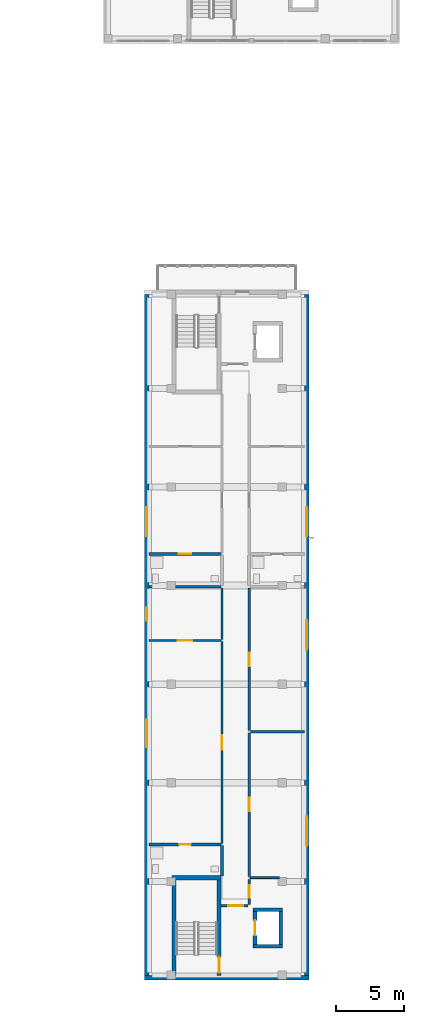
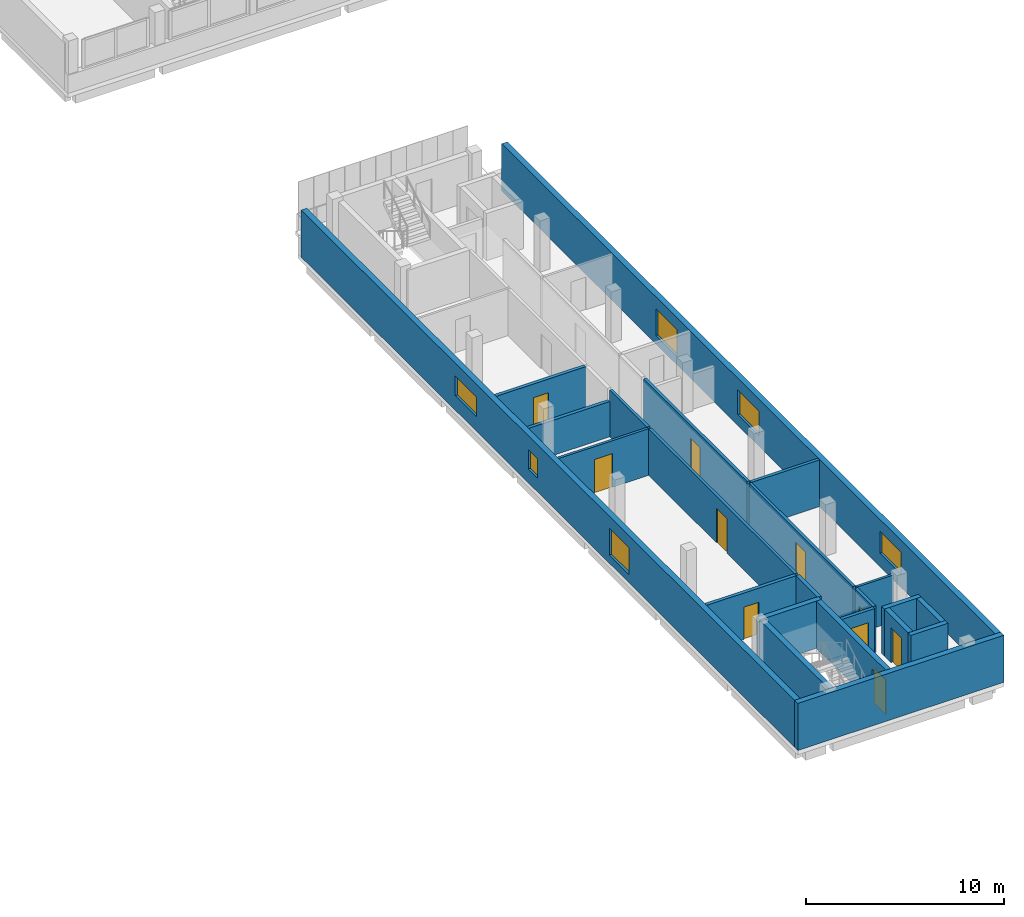
# One storey, part 15 of 35: 23 walls, 10 doors, 6 windows, 16 openings.
"""IFC4 building model written with IfcOpenShell, lengths in metres."""

from ifc_helpers import new_model, si_unit, derived_unit, direction, frame, frame_2d, origin, place, context, subcontext, project, spatial, rectangle, extrude, material, layer, layer_set, type_object, element, fill, save


model = new_model("IFC4")

# Units and contexts
model_context = context("Model", 3, precision=1e-05, world=origin(), true_north=direction((0.0, 1.0)))
body_context = subcontext(model_context, "Body", "Model", "MODEL_VIEW")
ifc_project = project(units=[si_unit("LENGTHUNIT", "METRE"), si_unit("AREAUNIT", "SQUARE_METRE"), si_unit("VOLUMEUNIT", "CUBIC_METRE"), si_unit("PLANEANGLEUNIT", "RADIAN"), si_unit("MASSUNIT", "GRAM", prefix="KILO"), derived_unit("THERMALTRANSMITTANCEUNIT", [(si_unit("MASSUNIT", "GRAM", prefix="KILO"), 1), (si_unit("TIMEUNIT", "SECOND"), -3), (si_unit("THERMODYNAMICTEMPERATUREUNIT", "KELVIN"), -1)])], contexts=[model_context])

# Site, building, storey
site_placement = place(None, origin())
site = spatial("IfcSite", under=ifc_project, at=site_placement, CompositionType="ELEMENT")
building_placement = place(site_placement, origin())
building = spatial("IfcBuilding", under=site, at=building_placement, Name="Ochrekiln Boulevard Commons", CompositionType="ELEMENT")
storey_placement = place(building_placement, frame((0.0, 0.0, 30.97509765625)))
storey = spatial("IfcBuildingStorey", under=building, at=storey_placement, Name="L09", CompositionType="ELEMENT", Elevation=30.97509765625)

# Wall
ifc_material_1 = material(Name="Desert ochre clinker brick masonry ASTM C216 Grade SW", Category="masonry")
ifc_layer_1 = layer(ifc_material_1, 0.330078125)
ifc_layer_set_1 = layer_set([ifc_layer_1], Name="Desert ochre clinker brick masonry ASTM C216 Grade SW")
wall_type_1 = type_object("IfcWallType", Name="WL-EXT-OCHRE-330", PredefinedType="SOLIDWALL", material=ifc_layer_set_1)
wall_1_placement = place(storey_placement, frame((154.199951171875, 0.1650390625, 0.0), z_axis=(0.0, 0.0, 1.0), x_axis=(1.0, 0.0, 0.0)))
element("IfcWall", 1, at=wall_1_placement, inside=storey, type_object=wall_type_1, Name="Block C L09 S Exterior Wall", PredefinedType="SOLIDWALL", context=body_context, shape_type="SweptSolid", body=[
    extrude(rectangle(XDim=12.0, YDim=0.330078125, at=frame_2d((6.0, 0.0))), origin(), (0.0, 0.0, 1.0), 2.89990234375),
])

# Wall, openings, windows
wall_2_placement = place(storey_placement, frame((154.364990234375, 0.330078125, 0.0), z_axis=(0.0, 0.0, 1.0), x_axis=(0.0, 1.0, 0.0)))
wall_2 = element("IfcWall", 2, at=wall_2_placement, inside=storey, type_object=wall_type_1, Name="Block C L09 W Exterior Wall", PredefinedType="SOLIDWALL", context=body_context, shape_type="SweptSolid", body=[
    extrude(rectangle(XDim=49.739990234375, YDim=0.330078125, at=frame_2d((24.8701171875, 0.0))), origin(), (0.0, 0.0, 1.0), 2.89990234375),
])
opening_1_placement = place(wall_2_placement, frame((16.669921875, 0.0, 0.514892578125)))
opening_1 = element("IfcOpeningElement", 3, at=opening_1_placement, cuts=wall_2, Name="Opening W-49", PredefinedType="OPENING", context=body_context, shape_type="SweptSolid", body=[
    extrude(rectangle(XDim=2.0, YDim=1.64990234375, at=frame_2d((1.0, 0.824951171875))), frame((0.0, 0.175048828125, 0.0), z_axis=(0.0, -1.0, 0.0), x_axis=(1.0, 0.0, 0.0)), (0.0, 0.0, 1.0), 0.35009765625),
])
opening_2_placement = place(wall_2_placement, frame((25.889892578125, 0.0, 0.85009765625)))
opening_2 = element("IfcOpeningElement", 4, at=opening_2_placement, cuts=wall_2, Name="Opening W-01", PredefinedType="OPENING", context=body_context, shape_type="SweptSolid", body=[
    extrude(rectangle(XDim=0.949951171875, YDim=1.199951171875, at=frame_2d((0.47509765625, 0.60009765625))), frame((0.0, 0.175048828125, 0.0), z_axis=(0.0, -1.0, 0.0), x_axis=(1.0, 0.0, 0.0)), (0.0, 0.0, 1.0), 0.35009765625),
])
opening_3_placement = place(wall_2_placement, frame((32.054931640625, 0.0, 0.89990234375)))
opening_3 = element("IfcOpeningElement", 5, at=opening_3_placement, cuts=wall_2, Name="Opening W-51", PredefinedType="OPENING", context=body_context, shape_type="SweptSolid", body=[
    extrude(rectangle(XDim=2.14990234375, YDim=1.199951171875, at=frame_2d((1.074951171875, 0.60009765625))), frame((0.0, 0.175048828125, 0.0), z_axis=(0.0, -1.0, 0.0), x_axis=(1.0, 0.0, 0.0)), (0.0, 0.0, 1.0), 0.35009765625),
])
ifc_material_2 = material(Name="Thermally broken aluminium-clad oak frame", Category="aluminium")
window_type_1 = type_object("IfcWindowType", Name="WIN-EXT-01", PartitioningType="SINGLE_PANEL", PredefinedType="WINDOW", material=ifc_material_2)
window_1_placement = place(opening_2_placement, origin())
window_1 = element("IfcWindow", 6, at=window_1_placement, inside=storey, type_object=window_type_1, Name="Block C L09 Punched Masonry Window W-01", OverallHeight=1.199951171875, OverallWidth=0.949951171875, PartitioningType="SINGLE_PANEL", PredefinedType="WINDOW", context=body_context, shape_type="SweptSolid", body=[
    extrude(rectangle(XDim=0.949951171875, YDim=1.199951171875, at=frame_2d((0.47509765625, 0.60009765625))), frame((0.0, 0.030029296875, 0.0), z_axis=(0.0, -1.0, 0.0), x_axis=(1.0, 0.0, 0.0)), (0.0, 0.0, 1.0), 0.06005859375),
])
fill(opening_2, window_1)
window_type_2 = type_object("IfcWindowType", Name="WIN-EXT-49", PartitioningType="DOUBLE_PANEL_VERTICAL", PredefinedType="WINDOW", material=ifc_material_2)
window_2_placement = place(opening_1_placement, origin())
window_2 = element("IfcWindow", 7, at=window_2_placement, inside=storey, type_object=window_type_2, Name="Block C L09 Punched Masonry Window W-49", OverallHeight=1.64990234375, OverallWidth=2.0, PartitioningType="DOUBLE_PANEL_VERTICAL", PredefinedType="WINDOW", context=body_context, shape_type="SweptSolid", body=[
    extrude(rectangle(XDim=2.0, YDim=1.64990234375, at=frame_2d((1.0, 0.824951171875))), frame((0.0, 0.030029296875, 0.0), z_axis=(0.0, -1.0, 0.0), x_axis=(1.0, 0.0, 0.0)), (0.0, 0.0, 1.0), 0.06005859375),
])
fill(opening_1, window_2)
window_type_3 = type_object("IfcWindowType", Name="WIN-EXT-51", PartitioningType="DOUBLE_PANEL_VERTICAL", PredefinedType="WINDOW", material=ifc_material_2)
window_3_placement = place(opening_3_placement, origin())
window_3 = element("IfcWindow", 8, at=window_3_placement, inside=storey, type_object=window_type_3, Name="Block C L09 Punched Masonry Window W-51", OverallHeight=1.199951171875, OverallWidth=2.14990234375, PartitioningType="DOUBLE_PANEL_VERTICAL", PredefinedType="WINDOW", context=body_context, shape_type="SweptSolid", body=[
    extrude(rectangle(XDim=2.14990234375, YDim=1.199951171875, at=frame_2d((1.074951171875, 0.60009765625))), frame((0.0, 0.030029296875, 0.0), z_axis=(0.0, -1.0, 0.0), x_axis=(1.0, 0.0, 0.0)), (0.0, 0.0, 1.0), 0.06005859375),
])
fill(opening_3, window_3)

wall_3_placement = place(storey_placement, frame((166.034912109375, 0.330078125, 0.0), z_axis=(0.0, 0.0, 1.0), x_axis=(0.0, 1.0, 0.0)))
wall_3 = element("IfcWall", 9, at=wall_3_placement, inside=storey, type_object=wall_type_1, Name="Block C L09 E Exterior Wall", PredefinedType="SOLIDWALL", context=body_context, shape_type="SweptSolid", body=[
    extrude(rectangle(XDim=49.739990234375, YDim=0.330078125, at=frame_2d((24.8701171875, 0.0))), origin(), (0.0, 0.0, 1.0), 2.89990234375),
])
opening_4_placement = place(wall_3_placement, frame((9.4599609375, 0.0, 0.81494140625)))
opening_4 = element("IfcOpeningElement", 10, at=opening_4_placement, cuts=wall_3, Name="Opening W-52", PredefinedType="OPENING", context=body_context, shape_type="SweptSolid", body=[
    extrude(rectangle(XDim=2.14990234375, YDim=1.35009765625, at=frame_2d((1.074951171875, 0.675048828125))), frame((0.0, 0.175048828125, 0.0), z_axis=(0.0, -1.0, 0.0), x_axis=(1.0, 0.0, 0.0)), (0.0, 0.0, 1.0), 0.35009765625),
])
opening_5_placement = place(wall_3_placement, frame((23.794921875, 0.0, 0.6650390625)))
opening_5 = element("IfcOpeningElement", 11, at=opening_5_placement, cuts=wall_3, Name="Opening W-53", PredefinedType="OPENING", context=body_context, shape_type="SweptSolid", body=[
    extrude(rectangle(XDim=2.14990234375, YDim=1.5, at=frame_2d((1.074951171875, 0.75))), frame((0.0, 0.175048828125, 0.0), z_axis=(0.0, -1.0, 0.0), x_axis=(1.0, 0.0, 0.0)), (0.0, 0.0, 1.0), 0.35009765625),
])
opening_6_placement = place(wall_3_placement, frame((32.054931640625, 0.0, 0.514892578125)))
opening_6 = element("IfcOpeningElement", 12, at=opening_6_placement, cuts=wall_3, Name="Opening W-54", PredefinedType="OPENING", context=body_context, shape_type="SweptSolid", body=[
    extrude(rectangle(XDim=2.14990234375, YDim=1.64990234375, at=frame_2d((1.074951171875, 0.824951171875))), frame((0.0, 0.175048828125, 0.0), z_axis=(0.0, -1.0, 0.0), x_axis=(1.0, 0.0, 0.0)), (0.0, 0.0, 1.0), 0.35009765625),
])
window_type_4 = type_object("IfcWindowType", Name="WIN-EXT-52", PartitioningType="DOUBLE_PANEL_VERTICAL", PredefinedType="WINDOW", material=ifc_material_2)
window_4_placement = place(opening_4_placement, origin())
window_4 = element("IfcWindow", 13, at=window_4_placement, inside=storey, type_object=window_type_4, Name="Block C L09 Punched Masonry Window W-52", OverallHeight=1.35009765625, OverallWidth=2.14990234375, PartitioningType="DOUBLE_PANEL_VERTICAL", PredefinedType="WINDOW", context=body_context, shape_type="SweptSolid", body=[
    extrude(rectangle(XDim=2.14990234375, YDim=1.35009765625, at=frame_2d((1.074951171875, 0.675048828125))), frame((0.0, 0.030029296875, 0.0), z_axis=(0.0, -1.0, 0.0), x_axis=(1.0, 0.0, 0.0)), (0.0, 0.0, 1.0), 0.06005859375),
])
fill(opening_4, window_4)
window_type_5 = type_object("IfcWindowType", Name="WIN-EXT-53", PartitioningType="DOUBLE_PANEL_VERTICAL", PredefinedType="WINDOW", material=ifc_material_2)
window_5_placement = place(opening_5_placement, origin())
window_5 = element("IfcWindow", 14, at=window_5_placement, inside=storey, type_object=window_type_5, Name="Block C L09 Punched Masonry Window W-53", OverallHeight=1.5, OverallWidth=2.14990234375, PartitioningType="DOUBLE_PANEL_VERTICAL", PredefinedType="WINDOW", context=body_context, shape_type="SweptSolid", body=[
    extrude(rectangle(XDim=2.14990234375, YDim=1.5, at=frame_2d((1.074951171875, 0.75))), frame((0.0, 0.030029296875, 0.0), z_axis=(0.0, -1.0, 0.0), x_axis=(1.0, 0.0, 0.0)), (0.0, 0.0, 1.0), 0.06005859375),
])
fill(opening_5, window_5)
window_type_6 = type_object("IfcWindowType", Name="WIN-EXT-54", PartitioningType="DOUBLE_PANEL_VERTICAL", PredefinedType="WINDOW", material=ifc_material_2)
window_6_placement = place(opening_6_placement, origin())
window_6 = element("IfcWindow", 15, at=window_6_placement, inside=storey, type_object=window_type_6, Name="Block C L09 Punched Masonry Window W-54", OverallHeight=1.64990234375, OverallWidth=2.14990234375, PartitioningType="DOUBLE_PANEL_VERTICAL", PredefinedType="WINDOW", context=body_context, shape_type="SweptSolid", body=[
    extrude(rectangle(XDim=2.14990234375, YDim=1.64990234375, at=frame_2d((1.074951171875, 0.824951171875))), frame((0.0, 0.030029296875, 0.0), z_axis=(0.0, -1.0, 0.0), x_axis=(1.0, 0.0, 0.0)), (0.0, 0.0, 1.0), 0.06005859375),
])
fill(opening_6, window_6)

# Wall, opening, door
ifc_material_3 = material(Name="Moisture-resistant cementitious tile backer wall")
ifc_layer_2 = layer(ifc_material_3, 0.199951171875)
ifc_layer_set_2 = layer_set([ifc_layer_2], Name="Moisture-resistant cementitious tile backer wall")
wall_type_2 = type_object("IfcWallType", Name="WL-PLM-200", PredefinedType="PLUMBINGWALL", material=ifc_layer_set_2)
wall_4_placement = place(storey_placement, frame((154.530029296875, 9.89990234375, 0.0), z_axis=(0.0, 0.0, 1.0), x_axis=(1.0, 0.0, 0.0)))
wall_4 = element("IfcWall", 16, at=wall_4_placement, inside=storey, type_object=wall_type_2, Name="L09 Interior Wall W-PW200", PredefinedType="PLUMBINGWALL", context=body_context, shape_type="SweptSolid", body=[
    extrude(rectangle(XDim=5.248046875, YDim=0.199951171875, at=frame_2d((2.6240234375, 0.0))), origin(), (0.0, 0.0, 1.0), 2.869873046875),
])
opening_7_placement = place(wall_4_placement, frame((2.199951171875, 0.0, 0.0)))
opening_7 = element("IfcOpeningElement", 17, at=opening_7_placement, cuts=wall_4, Name="Opening D-L09-1160", PredefinedType="OPENING", context=body_context, shape_type="SweptSolid", body=[
    extrude(rectangle(XDim=0.860107421875, YDim=2.0, at=frame_2d((0.43017578125, 1.0))), frame((0.0, 0.10986328125, 0.0), z_axis=(0.0, -1.0, 0.0), x_axis=(1.0, 0.0, 0.0)), (0.0, 0.0, 1.0), 0.219970703125),
])
ifc_material_4 = material(Name="Solid core architectural oak door leaf")
door_type_1 = type_object("IfcDoorType", Name="DR-INT-BTH-086", OperationType="NOTDEFINED", PredefinedType="DOOR", material=ifc_material_4)
door_1_placement = place(opening_7_placement, frame((0.860107421875, 0.0, 0.0), z_axis=(0.0, 0.0, 1.0), x_axis=(-1.0, 0.0, 0.0)))
door_1 = element("IfcDoor", 18, at=door_1_placement, inside=storey, type_object=door_type_1, Name="L09 Interior Door to Loft Bathroom", OperationType="SINGLE_SWING_RIGHT", OverallHeight=2.0, OverallWidth=0.860107421875, PredefinedType="DOOR", context=body_context, shape_type="SweptSolid", body=[
    extrude(rectangle(XDim=0.860107421875, YDim=2.0, at=frame_2d((0.43017578125, 1.0))), frame((0.0, 0.02490234375, 0.0), z_axis=(0.0, -1.0, 0.0), x_axis=(1.0, 0.0, 0.0)), (0.0, 0.0, 1.0), 0.050048828125),
])
fill(opening_7, door_1)

# Wall
wall_5_placement = place(storey_placement, frame((154.530029296875, 28.719970703125, 0.0), z_axis=(0.0, 0.0, 1.0), x_axis=(1.0, 0.0, 0.0)))
element("IfcWall", 19, at=wall_5_placement, inside=storey, type_object=wall_type_2, Name="L09 Interior Wall W-PW200", PredefinedType="PLUMBINGWALL", context=body_context, shape_type="SweptSolid", body=[
    extrude(rectangle(XDim=5.248046875, YDim=0.199951171875, at=frame_2d((2.6240234375, 0.0))), origin(), (0.0, 0.0, 1.0), 2.169921875),
])

# Wall, opening, door
wall_6_placement = place(storey_placement, frame((154.530029296875, 31.110107421875, 0.0), z_axis=(0.0, 0.0, 1.0), x_axis=(1.0, 0.0, 0.0)))
wall_6 = element("IfcWall", 20, at=wall_6_placement, inside=storey, type_object=wall_type_2, Name="L09 Interior Wall W-PW200", PredefinedType="PLUMBINGWALL", context=body_context, shape_type="SweptSolid", body=[
    extrude(rectangle(XDim=5.248046875, YDim=0.199951171875, at=frame_2d((2.6240234375, 0.0))), origin(), (0.0, 0.0, 1.0), 2.869873046875),
])
opening_8_placement = place(wall_6_placement, frame((2.18505859375, 0.0, 0.0)))
opening_8 = element("IfcOpeningElement", 21, at=opening_8_placement, cuts=wall_6, Name="Opening D-L09-1162", PredefinedType="OPENING", context=body_context, shape_type="SweptSolid", body=[
    extrude(rectangle(XDim=0.889892578125, YDim=2.030029296875, at=frame_2d((0.44482421875, 1.01513671875))), frame((0.0, 0.10986328125, 0.0), z_axis=(0.0, -1.0, 0.0), x_axis=(1.0, 0.0, 0.0)), (0.0, 0.0, 1.0), 0.219970703125),
])
door_type_2 = type_object("IfcDoorType", Name="DR-INT-BTH-089", OperationType="NOTDEFINED", PredefinedType="DOOR", material=ifc_material_4)
door_2_placement = place(opening_8_placement, frame((0.889892578125, 0.0, 0.0), z_axis=(0.0, 0.0, 1.0), x_axis=(-1.0, 0.0, 0.0)))
door_2 = element("IfcDoor", 22, at=door_2_placement, inside=storey, type_object=door_type_2, Name="L09 Interior Door to Loft Bathroom", OperationType="SINGLE_SWING_RIGHT", OverallHeight=2.030029296875, OverallWidth=0.889892578125, PredefinedType="DOOR", context=body_context, shape_type="SweptSolid", body=[
    extrude(rectangle(XDim=0.889892578125, YDim=2.030029296875, at=frame_2d((0.44482421875, 1.01513671875))), frame((0.0, 0.02490234375, 0.0), z_axis=(0.0, -1.0, 0.0), x_axis=(1.0, 0.0, 0.0)), (0.0, 0.0, 1.0), 0.050048828125),
])
fill(opening_8, door_2)

# Walls
ifc_layer_3 = layer(ifc_material_3, 0.219970703125)
ifc_layer_set_3 = layer_set([ifc_layer_3], Name="Moisture-resistant cementitious tile backer wall")
wall_type_3 = type_object("IfcWallType", Name="WL-PLM-220", PredefinedType="PLUMBINGWALL", material=ifc_layer_set_3)
wall_7_placement = place(storey_placement, frame((159.860107421875, 7.60009765625, 0.0), z_axis=(0.0, 0.0, 1.0), x_axis=(0.0, 1.0, 0.0)))
element("IfcWall", 23, at=wall_7_placement, inside=storey, type_object=wall_type_3, Name="L09 Interior Wall W-PW220", PredefinedType="PLUMBINGWALL", context=body_context, shape_type="SweptSolid", body=[
    extrude(rectangle(XDim=2.219970703125, YDim=0.219970703125, at=frame_2d((1.10986328125, 0.0))), origin(), (0.0, 0.0, 1.0), 2.869873046875),
])
ifc_material_5 = material(Name="Fire-rated Type X gypsum board on steel studs", Category="steel")
ifc_layer_4 = layer(ifc_material_5, 0.139892578125)
ifc_layer_set_4 = layer_set([ifc_layer_4], Name="Fire-rated Type X gypsum board on steel studs")
wall_type_4 = type_object("IfcWallType", Name="WL-PT-ACO-140", PredefinedType="PARTITIONING", material=ifc_layer_set_4)
wall_8_placement = place(storey_placement, frame((161.923095703125, 7.47509765625, 0.0), z_axis=(0.0, 0.0, 1.0), x_axis=(1.0, 0.0, 0.0)))
element("IfcWall", 24, at=wall_8_placement, inside=storey, type_object=wall_type_4, Name="L09 Interior Wall W-PA140", PredefinedType="PARTITIONING", context=body_context, shape_type="SweptSolid", body=[
    extrude(rectangle(XDim=2.126953125, YDim=0.139892578125, at=frame_2d((1.0634765625, 0.0))), origin(), (0.0, 0.0, 1.0), 2.869873046875),
])

# Wall, opening, door
ifc_layer_5 = layer(ifc_material_5, 0.1650390625)
ifc_layer_set_5 = layer_set([ifc_layer_5], Name="Fire-rated Type X gypsum board on steel studs")
wall_type_5 = type_object("IfcWallType", Name="WL-PT-CORR-165", PredefinedType="PARTITIONING", material=ifc_layer_set_5)
wall_9_placement = place(storey_placement, frame((161.840087890625, 5.514892578125, 0.0), z_axis=(0.0, 0.0, 1.0), x_axis=(0.0, 1.0, 0.0)))
wall_9 = element("IfcWall", 25, at=wall_9_placement, inside=storey, type_object=wall_type_5, Name="L09 Interior Wall W-PC165", PredefinedType="PARTITIONING", context=body_context, shape_type="SweptSolid", body=[
    extrude(rectangle(XDim=1.835205078125, YDim=0.1650390625, at=frame_2d((0.91748046875, 0.0))), origin(), (0.0, 0.0, 1.0), 2.869873046875),
])
opening_9_placement = place(wall_9_placement, frame((0.47509765625, 0.0, 0.0)))
opening_9 = element("IfcOpeningElement", 26, at=opening_9_placement, cuts=wall_9, Name="Opening D-L09-1154", PredefinedType="OPENING", context=body_context, shape_type="SweptSolid", body=[
    extrude(rectangle(XDim=0.919921875, YDim=2.0400390625, at=frame_2d((0.4599609375, 1.02001953125))), frame((0.0, 0.092529296875, 0.0), z_axis=(0.0, -1.0, 0.0), x_axis=(1.0, 0.0, 0.0)), (0.0, 0.0, 1.0), 0.18505859375),
])
ifc_material_6 = material(Name="Hollow metal fire-rated steel door assembly", Category="steel")
door_type_3 = type_object("IfcDoorType", Name="DR-SRV-90", OperationType="NOTDEFINED", PredefinedType="DOOR", material=ifc_material_6)
door_3_placement = place(opening_9_placement, frame((0.919921875, 0.0, 0.0), z_axis=(0.0, 0.0, 1.0), x_axis=(-1.0, 0.0, 0.0)))
door_3 = element("IfcDoor", 27, at=door_3_placement, inside=storey, type_object=door_type_3, Name="L09 Interior Door to Hydronic and Electrical Riser Room", OperationType="SINGLE_SWING_RIGHT", OverallHeight=2.0400390625, OverallWidth=0.919921875, PredefinedType="DOOR", context=body_context, shape_type="SweptSolid", body=[
    extrude(rectangle(XDim=0.919921875, YDim=2.0400390625, at=frame_2d((0.4599609375, 1.02001953125))), frame((0.0, 0.02490234375, 0.0), z_axis=(0.0, -1.0, 0.0), x_axis=(1.0, 0.0, 0.0)), (0.0, 0.0, 1.0), 0.050048828125),
])
fill(opening_9, door_3)

wall_10_placement = place(storey_placement, frame((159.860107421875, 9.97998046875, 0.0), z_axis=(0.0, 0.0, 1.0), x_axis=(0.0, 1.0, 0.0)))
wall_10 = element("IfcWall", 28, at=wall_10_placement, inside=storey, type_object=wall_type_5, Name="L09 Interior Wall W-PC165", PredefinedType="PARTITIONING", context=body_context, shape_type="SweptSolid", body=[
    extrude(rectangle(XDim=14.719970703125, YDim=0.1650390625, at=frame_2d((7.35986328125, 0.0))), origin(), (0.0, 0.0, 1.0), 2.869873046875),
])
opening_10_placement = place(wall_10_placement, frame((6.8349609375, 0.0, 0.0)))
opening_10 = element("IfcOpeningElement", 29, at=opening_10_placement, cuts=wall_10, Name="Opening D-L09-1155", PredefinedType="OPENING", context=body_context, shape_type="SweptSolid", body=[
    extrude(rectangle(XDim=1.050048828125, YDim=2.1298828125, at=frame_2d((0.52490234375, 1.06494140625))), frame((0.0, 0.092529296875, 0.0), z_axis=(0.0, -1.0, 0.0), x_axis=(1.0, 0.0, 0.0)), (0.0, 0.0, 1.0), 0.18505859375),
])
door_type_4 = type_object("IfcDoorType", Name="DR-INT-APT-105", OperationType="NOTDEFINED", PredefinedType="DOOR", material=ifc_material_4)
door_4_placement = place(opening_10_placement, origin())
door_4 = element("IfcDoor", 30, at=door_4_placement, inside=storey, type_object=door_type_4, Name="L09 Interior Door to Loft Living Room", OperationType="SINGLE_SWING_LEFT", OverallHeight=2.1298828125, OverallWidth=1.050048828125, PredefinedType="DOOR", context=body_context, shape_type="SweptSolid", body=[
    extrude(rectangle(XDim=1.050048828125, YDim=2.1298828125, at=frame_2d((0.52490234375, 1.06494140625))), frame((0.0, 0.02490234375, 0.0), z_axis=(0.0, -1.0, 0.0), x_axis=(1.0, 0.0, 0.0)), (0.0, 0.0, 1.0), 0.050048828125),
])
fill(opening_10, door_4)

# Wall
wall_11_placement = place(storey_placement, frame((159.860107421875, 24.860107421875, 0.0), z_axis=(0.0, 0.0, 1.0), x_axis=(0.0, 1.0, 0.0)))
element("IfcWall", 31, at=wall_11_placement, inside=storey, type_object=wall_type_5, Name="L09 Interior Wall W-PC165", PredefinedType="PARTITIONING", context=body_context, shape_type="SweptSolid", body=[
    extrude(rectangle(XDim=3.769775390625, YDim=0.1650390625, at=frame_2d((1.884765625, 0.0))), origin(), (0.0, 0.0, 1.0), 2.869873046875),
])

# Wall, opening, door
wall_12_placement = place(storey_placement, frame((161.840087890625, 7.544921875, 0.0), z_axis=(0.0, 0.0, 1.0), x_axis=(0.0, 1.0, 0.0)))
wall_12 = element("IfcWall", 32, at=wall_12_placement, inside=storey, type_object=wall_type_5, Name="L09 Interior Wall W-PC165", PredefinedType="PARTITIONING", context=body_context, shape_type="SweptSolid", body=[
    extrude(rectangle(XDim=10.47998046875, YDim=0.1650390625, at=frame_2d((5.239990234375, 0.0))), origin(), (0.0, 0.0, 1.0), 2.869873046875),
])
opening_11_placement = place(wall_12_placement, frame((4.777099609375, 0.0, 0.0)))
opening_11 = element("IfcOpeningElement", 33, at=opening_11_placement, cuts=wall_12, Name="Opening D-L09-1157", PredefinedType="OPENING", context=body_context, shape_type="SweptSolid", body=[
    extrude(rectangle(XDim=0.97998046875, YDim=2.080078125, at=frame_2d((0.489990234375, 1.0400390625))), frame((0.0, 0.092529296875, 0.0), z_axis=(0.0, -1.0, 0.0), x_axis=(1.0, 0.0, 0.0)), (0.0, 0.0, 1.0), 0.18505859375),
])
door_type_5 = type_object("IfcDoorType", Name="DR-APT-60", OperationType="NOTDEFINED", PredefinedType="DOOR", material=ifc_material_4)
door_5_placement = place(opening_11_placement, frame((0.97998046875, 0.0, 0.0), z_axis=(0.0, 0.0, 1.0), x_axis=(-1.0, 0.0, 0.0)))
door_5 = element("IfcDoor", 34, at=door_5_placement, inside=storey, type_object=door_type_5, Name="L09 Interior Door to Resident Study Lounge", OperationType="SINGLE_SWING_LEFT", OverallHeight=2.080078125, OverallWidth=0.97998046875, PredefinedType="DOOR", context=body_context, shape_type="SweptSolid", body=[
    extrude(rectangle(XDim=0.97998046875, YDim=2.080078125, at=frame_2d((0.489990234375, 1.0400390625))), frame((0.0, 0.02490234375, 0.0), z_axis=(0.0, -1.0, 0.0), x_axis=(1.0, 0.0, 0.0)), (0.0, 0.0, 1.0), 0.050048828125),
])
fill(opening_11, door_5)

wall_13_placement = place(storey_placement, frame((161.840087890625, 18.205078125, 0.0), z_axis=(0.0, 0.0, 1.0), x_axis=(0.0, 1.0, 0.0)))
wall_13 = element("IfcWall", 35, at=wall_13_placement, inside=storey, type_object=wall_type_5, Name="L09 Interior Wall W-PC165", PredefinedType="PARTITIONING", context=body_context, shape_type="SweptSolid", body=[
    extrude(rectangle(XDim=10.4248046875, YDim=0.1650390625, at=frame_2d((5.21240234375, 0.0))), origin(), (0.0, 0.0, 1.0), 2.869873046875),
])
opening_12_placement = place(wall_13_placement, frame((4.721923828125, 0.0, 0.0)))
opening_12 = element("IfcOpeningElement", 36, at=opening_12_placement, cuts=wall_13, Name="Opening D-L09-1158", PredefinedType="OPENING", context=body_context, shape_type="SweptSolid", body=[
    extrude(rectangle(XDim=0.97998046875, YDim=2.080078125, at=frame_2d((0.489990234375, 1.0400390625))), frame((0.0, 0.092529296875, 0.0), z_axis=(0.0, -1.0, 0.0), x_axis=(1.0, 0.0, 0.0)), (0.0, 0.0, 1.0), 0.18505859375),
])
door_6_placement = place(opening_12_placement, frame((0.97998046875, 0.0, 0.0), z_axis=(0.0, 0.0, 1.0), x_axis=(-1.0, 0.0, 0.0)))
door_6 = element("IfcDoor", 37, at=door_6_placement, inside=storey, type_object=door_type_5, Name="L09 Interior Door to Resident Reading Library", OperationType="SINGLE_SWING_RIGHT", OverallHeight=2.080078125, OverallWidth=0.97998046875, PredefinedType="DOOR", context=body_context, shape_type="SweptSolid", body=[
    extrude(rectangle(XDim=0.97998046875, YDim=2.080078125, at=frame_2d((0.489990234375, 1.0400390625))), frame((0.0, 0.02490234375, 0.0), z_axis=(0.0, -1.0, 0.0), x_axis=(1.0, 0.0, 0.0)), (0.0, 0.0, 1.0), 0.050048828125),
])
fill(opening_12, door_6)

# Wall
ifc_layer_6 = layer(ifc_material_5, 0.179931640625)
ifc_layer_set_6 = layer_set([ifc_layer_6], Name="Fire-rated Type X gypsum board on steel studs")
wall_type_6 = type_object("IfcWallType", Name="WL-PT-DEM-180", PredefinedType="PARTITIONING", material=ifc_layer_set_6)
wall_14_placement = place(storey_placement, frame((161.923095703125, 18.114990234375, 0.0), z_axis=(0.0, 0.0, 1.0), x_axis=(1.0, 0.0, 0.0)))
element("IfcWall", 38, at=wall_14_placement, inside=storey, type_object=wall_type_6, Name="L09 Interior Wall W-PD180", PredefinedType="PARTITIONING", context=body_context, shape_type="SweptSolid", body=[
    extrude(rectangle(XDim=3.947021484375, YDim=0.179931640625, at=frame_2d((1.9736328125, 0.0))), origin(), (0.0, 0.0, 1.0), 2.869873046875),
])

# Wall, opening, door
ifc_layer_7 = layer(ifc_material_5, 0.18994140625)
ifc_layer_set_7 = layer_set([ifc_layer_7], Name="Fire-rated Type X gypsum board on steel studs")
wall_type_7 = type_object("IfcWallType", Name="WL-PT-LBY-190", PredefinedType="PARTITIONING", material=ifc_layer_set_7)
wall_15_placement = place(storey_placement, frame((159.800048828125, 5.419921875, 0.0), z_axis=(0.0, 0.0, 1.0), x_axis=(1.0, 0.0, 0.0)))
wall_15 = element("IfcWall", 39, at=wall_15_placement, inside=storey, type_object=wall_type_7, Name="L09 Interior Wall W-PL190", PredefinedType="PARTITIONING", context=body_context, shape_type="SweptSolid", body=[
    extrude(rectangle(XDim=1.949951171875, YDim=0.18994140625, at=frame_2d((0.97509765625, 0.0))), origin(), (0.0, 0.0, 1.0), 2.869873046875),
])
opening_13_placement = place(wall_15_placement, frame((0.5, 0.0, 0.0)))
opening_13 = element("IfcOpeningElement", 40, at=opening_13_placement, cuts=wall_15, Name="Opening D-L09-1152", PredefinedType="OPENING", context=body_context, shape_type="SweptSolid", body=[
    extrude(rectangle(XDim=1.10009765625, YDim=2.1201171875, at=frame_2d((0.550048828125, 1.06005859375))), frame((0.0, 0.10498046875, 0.0), z_axis=(0.0, -1.0, 0.0), x_axis=(1.0, 0.0, 0.0)), (0.0, 0.0, 1.0), 0.2099609375),
])
door_type_6 = type_object("IfcDoorType", Name="DR-LOBBY-60", OperationType="NOTDEFINED", PredefinedType="DOOR", material=ifc_material_6)
door_7_placement = place(opening_13_placement, frame((1.10009765625, 0.0, 0.0), z_axis=(0.0, 0.0, 1.0), x_axis=(-1.0, 0.0, 0.0)))
door_7 = element("IfcDoor", 41, at=door_7_placement, inside=storey, type_object=door_type_6, Name="L09 Interior Door to Passenger Elevator Lobby", OperationType="SINGLE_SWING_RIGHT", OverallHeight=2.1201171875, OverallWidth=1.10009765625, PredefinedType="DOOR", context=body_context, shape_type="SweptSolid", body=[
    extrude(rectangle(XDim=1.10009765625, YDim=2.1201171875, at=frame_2d((0.550048828125, 1.06005859375))), frame((0.0, 0.02490234375, 0.0), z_axis=(0.0, -1.0, 0.0), x_axis=(1.0, 0.0, 0.0)), (0.0, 0.0, 1.0), 0.050048828125),
])
fill(opening_13, door_7)

ifc_layer_8 = layer(ifc_material_5, 0.14990234375)
ifc_layer_set_8 = layer_set([ifc_layer_8], Name="Fire-rated Type X gypsum board on steel studs")
wall_type_8 = type_object("IfcWallType", Name="WL-PT-STD-150", PredefinedType="PARTITIONING", material=ifc_layer_set_8)
wall_16_placement = place(storey_placement, frame((154.530029296875, 24.780029296875, 0.0), z_axis=(0.0, 0.0, 1.0), x_axis=(1.0, 0.0, 0.0)))
wall_16 = element("IfcWall", 42, at=wall_16_placement, inside=storey, type_object=wall_type_8, Name="L09 Interior Wall W-PS150", PredefinedType="PARTITIONING", context=body_context, shape_type="SweptSolid", body=[
    extrude(rectangle(XDim=5.248046875, YDim=0.14990234375, at=frame_2d((2.6240234375, 0.0))), origin(), (0.0, 0.0, 1.0), 2.869873046875),
])
opening_14_placement = place(wall_16_placement, frame((2.110107421875, 0.0, 0.0)))
opening_14 = element("IfcOpeningElement", 43, at=opening_14_placement, cuts=wall_16, Name="Opening D-L09-1161", PredefinedType="OPENING", context=body_context, shape_type="SweptSolid", body=[
    extrude(rectangle(XDim=1.0400390625, YDim=2.080078125, at=frame_2d((0.52001953125, 1.0400390625))), frame((0.0, 0.0849609375, 0.0), z_axis=(0.0, -1.0, 0.0), x_axis=(1.0, 0.0, 0.0)), (0.0, 0.0, 1.0), 0.169921875),
])
door_type_7 = type_object("IfcDoorType", Name="DR-INT-BED-104", OperationType="NOTDEFINED", PredefinedType="DOOR", material=ifc_material_4)
door_8_placement = place(opening_14_placement, origin())
door_8 = element("IfcDoor", 44, at=door_8_placement, inside=storey, type_object=door_type_7, Name="L09 Interior Door to Loft Bedroom", OperationType="SINGLE_SWING_LEFT", OverallHeight=2.080078125, OverallWidth=1.0400390625, PredefinedType="DOOR", context=body_context, shape_type="SweptSolid", body=[
    extrude(rectangle(XDim=1.0400390625, YDim=2.080078125, at=frame_2d((0.52001953125, 1.0400390625))), frame((0.0, 0.02490234375, 0.0), z_axis=(0.0, -1.0, 0.0), x_axis=(1.0, 0.0, 0.0)), (0.0, 0.0, 1.0), 0.050048828125),
])
fill(opening_14, door_8)

# Walls
ifc_material_7 = material(Name="Concrete C40/50", Category="concrete")
ifc_layer_9 = layer(ifc_material_7, 0.27490234375)
ifc_layer_set_9 = layer_set([ifc_layer_9], Name="Concrete C40/50")
wall_type_9 = type_object("IfcWallType", Name="WL-SH-275", PredefinedType="SHEAR", material=ifc_layer_set_9)
for number, where, z_axis, x_axis, name in (
    (45, (162.125, 2.46240234375, 0.0), (0.0, 0.0, 1.0), (1.0, 0.0, 0.0), "Elevator LP-C1 L09 Hoistway Shear Wall"),
    (46, (162.125, 5.137451171875, 0.0), (0.0, 0.0, 1.0), (1.0, 0.0, 0.0), "Elevator LP-C1 L09 Hoistway Shear Wall"),
):
    element("IfcWall", number, at=place(storey_placement, frame(where, z_axis=z_axis, x_axis=x_axis)), inside=storey, type_object=wall_type_9, Name=name, PredefinedType="SHEAR", context=body_context, shape_type="SweptSolid", body=[
        extrude(rectangle(XDim=2.14990234375, YDim=0.27490234375, at=frame_2d((1.074951171875, 0.0))), origin(), (0.0, 0.0, 1.0), 2.89990234375),
    ])

# Wall, opening, door
wall_17_placement = place(storey_placement, frame((162.262451171875, 2.60009765625, 0.0), z_axis=(0.0, 0.0, 1.0), x_axis=(0.0, 1.0, 0.0)))
wall_17 = element("IfcWall", 47, at=wall_17_placement, inside=storey, type_object=wall_type_9, Name="Elevator LP-C1 L09 Hoistway Shear Wall", PredefinedType="SHEAR", context=body_context, shape_type="SweptSolid", body=[
    extrude(rectangle(XDim=2.39990234375, YDim=0.27490234375, at=frame_2d((1.199951171875, 0.0))), origin(), (0.0, 0.0, 1.0), 2.89990234375),
])
opening_15_placement = place(wall_17_placement, frame((0.64990234375, 0.0, 0.0)))
opening_15 = element("IfcOpeningElement", 48, at=opening_15_placement, cuts=wall_17, Name="Opening LD-LP-C1-L09", PredefinedType="OPENING", context=body_context, shape_type="SweptSolid", body=[
    extrude(rectangle(XDim=1.10009765625, YDim=2.14990234375, at=frame_2d((0.550048828125, 1.074951171875))), frame((0.0, 0.1474609375, 0.0), z_axis=(0.0, -1.0, 0.0), x_axis=(1.0, 0.0, 0.0)), (0.0, 0.0, 1.0), 0.294921875),
])
ifc_material_8 = material(Name="Brushed stainless steel 316 elevator cab and doors", Category="steel")
door_type_8 = type_object("IfcDoorType", Name="DR-LIFT-LD90", OperationType="SLIDING_TO_LEFT", PredefinedType="DOOR", material=ifc_material_8)
door_9_placement = place(opening_15_placement, origin())
door_9 = element("IfcDoor", 49, at=door_9_placement, inside=storey, type_object=door_type_8, Name="Elevator LP-C1 L09 Sliding Landing Door LD-LP-C1-L09", OperationType="SLIDING_TO_LEFT", OverallHeight=2.14990234375, OverallWidth=1.10009765625, PredefinedType="DOOR", context=body_context, shape_type="SweptSolid", body=[
    extrude(rectangle(XDim=1.10009765625, YDim=2.14990234375, at=frame_2d((0.550048828125, 1.074951171875))), frame((0.0, 0.02490234375, 0.0), z_axis=(0.0, -1.0, 0.0), x_axis=(1.0, 0.0, 0.0)), (0.0, 0.0, 1.0), 0.050048828125),
])
fill(opening_15, door_9)

# Walls
wall_18_placement = place(storey_placement, frame((164.137451171875, 2.60009765625, 0.0), z_axis=(0.0, 0.0, 1.0), x_axis=(0.0, 1.0, 0.0)))
element("IfcWall", 50, at=wall_18_placement, inside=storey, type_object=wall_type_9, Name="Elevator LP-C1 L09 Hoistway Shear Wall", PredefinedType="SHEAR", context=body_context, shape_type="SweptSolid", body=[
    extrude(rectangle(XDim=2.39990234375, YDim=0.27490234375, at=frame_2d((1.199951171875, 0.0))), origin(), (0.0, 0.0, 1.0), 2.89990234375),
])
ifc_layer_10 = layer(ifc_material_7, 0.300048828125)
ifc_layer_set_10 = layer_set([ifc_layer_10], Name="Concrete C40/50")
wall_type_10 = type_object("IfcWallType", Name="WL-SH-300", PredefinedType="SHEAR", material=ifc_layer_set_10)
wall_19_placement = place(storey_placement, frame((156.199951171875, 7.469970703125, 0.0), z_axis=(0.0, 0.0, 1.0), x_axis=(1.0, 0.0, 0.0)))
element("IfcWall", 51, at=wall_19_placement, inside=storey, type_object=wall_type_10, Name="Stair ST-C1 L09 Core Shear Wall N", PredefinedType="SHEAR", context=body_context, shape_type="SweptSolid", body=[
    extrude(rectangle(XDim=3.60009765625, YDim=0.300048828125, at=frame_2d((1.800048828125, 0.0))), origin(), (0.0, 0.0, 1.0), 2.89990234375),
])
wall_20_placement = place(storey_placement, frame((156.35009765625, 0.320068359375, 0.0), z_axis=(0.0, 0.0, 1.0), x_axis=(0.0, 1.0, 0.0)))
element("IfcWall", 52, at=wall_20_placement, inside=storey, type_object=wall_type_10, Name="Stair ST-C1 L09 Core Shear Wall W", PredefinedType="SHEAR", context=body_context, shape_type="SweptSolid", body=[
    extrude(rectangle(XDim=7.0, YDim=0.300048828125, at=frame_2d((3.5, 0.0))), origin(), (0.0, 0.0, 1.0), 2.89990234375),
])

# Wall, opening, door
wall_21_placement = place(storey_placement, frame((159.64990234375, 0.320068359375, 0.0), z_axis=(0.0, 0.0, 1.0), x_axis=(0.0, 1.0, 0.0)))
wall_21 = element("IfcWall", 53, at=wall_21_placement, inside=storey, type_object=wall_type_10, Name="Stair ST-C1 L09 Core Shear Wall E", PredefinedType="SHEAR", context=body_context, shape_type="SweptSolid", body=[
    extrude(rectangle(XDim=7.0, YDim=0.300048828125, at=frame_2d((3.5, 0.0))), origin(), (0.0, 0.0, 1.0), 2.89990234375),
])
opening_16_placement = place(wall_21_placement, frame((0.22509765625, 0.0, 0.0)))
opening_16 = element("IfcOpeningElement", 54, at=opening_16_placement, cuts=wall_21, Name="Opening D-L09-ST-C1", PredefinedType="OPENING", context=body_context, shape_type="SweptSolid", body=[
    extrude(rectangle(XDim=1.14990234375, YDim=2.1201171875, at=frame_2d((0.574951171875, 1.06005859375))), frame((0.0, 0.159912109375, 0.0), z_axis=(0.0, -1.0, 0.0), x_axis=(1.0, 0.0, 0.0)), (0.0, 0.0, 1.0), 0.320068359375),
])
door_type_9 = type_object("IfcDoorType", Name="DR-STAIR-90", OperationType="NOTDEFINED", PredefinedType="DOOR", material=ifc_material_6)
door_10_placement = place(opening_16_placement, origin())
door_10 = element("IfcDoor", 55, at=door_10_placement, inside=storey, type_object=door_type_9, Name="Enclosed Exit Stair ST-C1 L09 Rated Door", OperationType="SINGLE_SWING_LEFT", OverallHeight=2.1201171875, OverallWidth=1.14990234375, PredefinedType="DOOR", context=body_context, shape_type="SweptSolid", body=[
    extrude(rectangle(XDim=1.14990234375, YDim=2.1201171875, at=frame_2d((0.574951171875, 1.06005859375))), frame((0.0, 0.02490234375, 0.0), z_axis=(0.0, -1.0, 0.0), x_axis=(1.0, 0.0, 0.0)), (0.0, 0.0, 1.0), 0.050048828125),
])
fill(opening_16, door_10)

save(model, "model.ifc")
